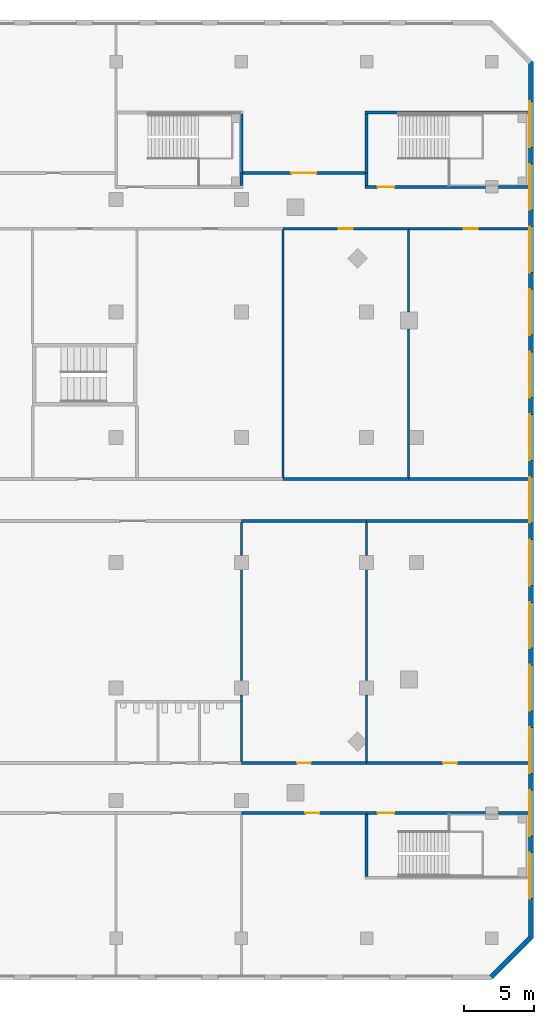
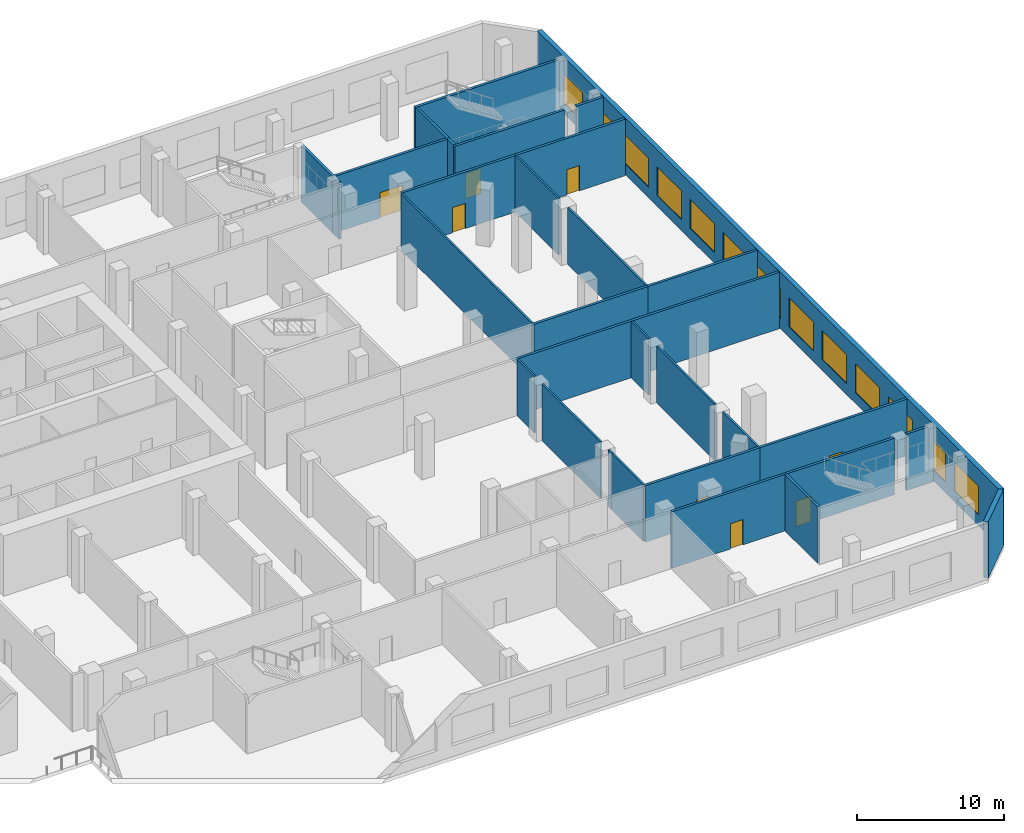
# One storey, part 16 of 23: 32 walls, 13 windows, 8 doors, 21 openings.
"""IFC4 building model written with IfcOpenShell, lengths in metres."""

from ifc_helpers import new_model, si_unit, direction, frame, frame_2d, origin, place, context, subcontext, project, spatial, rectangle, extrude, material, layer, layer_set, type_object, element, fill, save


model = new_model("IFC4")

# Units and contexts
model_context = context("Model", 3, precision=1e-05, world=origin(), true_north=direction((0.0, 1.0)))
body_context = subcontext(model_context, "Body", "Model", "MODEL_VIEW")
ifc_project = project(units=[si_unit("LENGTHUNIT", "METRE"), si_unit("AREAUNIT", "SQUARE_METRE"), si_unit("VOLUMEUNIT", "CUBIC_METRE"), si_unit("PLANEANGLEUNIT", "RADIAN"), si_unit("MASSUNIT", "GRAM", prefix="KILO")], contexts=[model_context])

# Site, building, storey
site_placement = place(None, origin())
site = spatial("IfcSite", under=ifc_project, at=site_placement, CompositionType="ELEMENT")
building_placement = place(site_placement, origin())
building = spatial("IfcBuilding", under=site, at=building_placement, Name="Cinnabar Reach Civic Tower", CompositionType="ELEMENT")
storey_placement = place(building_placement, frame((0.0, 0.0, 6.0)))
storey = spatial("IfcBuildingStorey", under=building, at=storey_placement, Name="L01", CompositionType="ELEMENT", Elevation=6.0)

# Wall
ifc_material_1 = material(Name="Facing brick with insulated backing", Category="masonry")
ifc_layer_1 = layer(ifc_material_1, 0.36)
ifc_layer_set_1 = layer_set([ifc_layer_1], Name="Brick corner wall")
wall_type_1 = type_object("IfcWallType", Name="Brick corner wall", PredefinedType="STANDARD", material=ifc_layer_set_1)
wall_1_placement = place(storey_placement, frame((62.9611, -11.7843, 0.0), z_axis=(0.0, 0.0, 1.0), x_axis=(0.707106781187, 0.707106781187, 0.0)))
element("IfcWall", 1, at=wall_1_placement, inside=storey, type_object=wall_type_1, Name="Brick corner wall", PredefinedType="STANDARD", context=body_context, shape_type="SweptSolid", body=[
    extrude(rectangle(XDim=3.9926, YDim=0.36, at=frame_2d((1.9963, 0.0))), origin(), (0.0, 0.0, 1.0), 4.7),
])

# Wall, openings, windows
ifc_layer_2 = layer(ifc_material_1, 0.36)
ifc_layer_set_2 = layer_set([ifc_layer_2], Name="Brick pier and spandrel wall")
wall_type_2 = type_object("IfcWallType", Name="Brick pier and spandrel wall", PredefinedType="STANDARD", material=ifc_layer_set_2)
wall_2_placement = place(storey_placement, frame((65.82, -9.0, 0.0), z_axis=(0.0, 0.0, 1.0), x_axis=(0.0, 1.0, 0.0)))
wall_2 = element("IfcWall", 2, at=wall_2_placement, inside=storey, type_object=wall_type_2, Name="Brick facade wall", PredefinedType="STANDARD", context=body_context, shape_type="SweptSolid", body=[
    extrude(rectangle(XDim=63.0, YDim=0.36, at=frame_2d((31.5, 0.0))), origin(), (0.0, 0.0, 1.0), 4.7),
])
opening_1_placement = place(wall_2_placement, frame((2.85, 0.0, 0.9)))
opening_1 = element("IfcOpeningElement", 3, at=opening_1_placement, cuts=wall_2, Name="Opening W2875", PredefinedType="OPENING", context=body_context, shape_type="SweptSolid", body=[
    extrude(rectangle(XDim=3.3, YDim=2.4, at=frame_2d((1.65, 1.2))), frame((0.0, 0.19, 0.0), z_axis=(0.0, -1.0, 0.0), x_axis=(1.0, 0.0, 0.0)), (0.0, 0.0, 1.0), 0.38),
])
opening_2_placement = place(wall_2_placement, frame((7.35, 0.0, 0.9)))
opening_2 = element("IfcOpeningElement", 4, at=opening_2_placement, cuts=wall_2, Name="Opening W2876", PredefinedType="OPENING", context=body_context, shape_type="SweptSolid", body=[
    extrude(rectangle(XDim=3.3, YDim=2.4, at=frame_2d((1.65, 1.2))), frame((0.0, 0.19, 0.0), z_axis=(0.0, -1.0, 0.0), x_axis=(1.0, 0.0, 0.0)), (0.0, 0.0, 1.0), 0.38),
])
opening_3_placement = place(wall_2_placement, frame((11.85, 0.0, 0.9)))
opening_3 = element("IfcOpeningElement", 5, at=opening_3_placement, cuts=wall_2, Name="Opening W2877", PredefinedType="OPENING", context=body_context, shape_type="SweptSolid", body=[
    extrude(rectangle(XDim=3.3, YDim=2.4, at=frame_2d((1.65, 1.2))), frame((0.0, 0.19, 0.0), z_axis=(0.0, -1.0, 0.0), x_axis=(1.0, 0.0, 0.0)), (0.0, 0.0, 1.0), 0.38),
])
opening_4_placement = place(wall_2_placement, frame((16.35, 0.0, 0.9)))
opening_4 = element("IfcOpeningElement", 6, at=opening_4_placement, cuts=wall_2, Name="Opening W2878", PredefinedType="OPENING", context=body_context, shape_type="SweptSolid", body=[
    extrude(rectangle(XDim=3.3, YDim=2.4, at=frame_2d((1.65, 1.2))), frame((0.0, 0.19, 0.0), z_axis=(0.0, -1.0, 0.0), x_axis=(1.0, 0.0, 0.0)), (0.0, 0.0, 1.0), 0.38),
])
opening_5_placement = place(wall_2_placement, frame((20.85, 0.0, 0.9)))
opening_5 = element("IfcOpeningElement", 7, at=opening_5_placement, cuts=wall_2, Name="Opening W2879", PredefinedType="OPENING", context=body_context, shape_type="SweptSolid", body=[
    extrude(rectangle(XDim=3.3, YDim=2.4, at=frame_2d((1.65, 1.2))), frame((0.0, 0.19, 0.0), z_axis=(0.0, -1.0, 0.0), x_axis=(1.0, 0.0, 0.0)), (0.0, 0.0, 1.0), 0.38),
])
opening_6_placement = place(wall_2_placement, frame((25.35, 0.0, 0.9)))
opening_6 = element("IfcOpeningElement", 8, at=opening_6_placement, cuts=wall_2, Name="Opening W2880", PredefinedType="OPENING", context=body_context, shape_type="SweptSolid", body=[
    extrude(rectangle(XDim=3.3, YDim=2.4, at=frame_2d((1.65, 1.2))), frame((0.0, 0.19, 0.0), z_axis=(0.0, -1.0, 0.0), x_axis=(1.0, 0.0, 0.0)), (0.0, 0.0, 1.0), 0.38),
])
opening_7_placement = place(wall_2_placement, frame((29.85, 0.0, 0.9)))
opening_7 = element("IfcOpeningElement", 9, at=opening_7_placement, cuts=wall_2, Name="Opening W2881", PredefinedType="OPENING", context=body_context, shape_type="SweptSolid", body=[
    extrude(rectangle(XDim=3.3, YDim=2.4, at=frame_2d((1.65, 1.2))), frame((0.0, 0.19, 0.0), z_axis=(0.0, -1.0, 0.0), x_axis=(1.0, 0.0, 0.0)), (0.0, 0.0, 1.0), 0.38),
])
opening_8_placement = place(wall_2_placement, frame((34.35, 0.0, 0.9)))
opening_8 = element("IfcOpeningElement", 10, at=opening_8_placement, cuts=wall_2, Name="Opening W2882", PredefinedType="OPENING", context=body_context, shape_type="SweptSolid", body=[
    extrude(rectangle(XDim=3.3, YDim=2.4, at=frame_2d((1.65, 1.2))), frame((0.0, 0.19, 0.0), z_axis=(0.0, -1.0, 0.0), x_axis=(1.0, 0.0, 0.0)), (0.0, 0.0, 1.0), 0.38),
])
opening_9_placement = place(wall_2_placement, frame((38.85, 0.0, 0.9)))
opening_9 = element("IfcOpeningElement", 11, at=opening_9_placement, cuts=wall_2, Name="Opening W2883", PredefinedType="OPENING", context=body_context, shape_type="SweptSolid", body=[
    extrude(rectangle(XDim=3.3, YDim=2.4, at=frame_2d((1.65, 1.2))), frame((0.0, 0.19, 0.0), z_axis=(0.0, -1.0, 0.0), x_axis=(1.0, 0.0, 0.0)), (0.0, 0.0, 1.0), 0.38),
])
opening_10_placement = place(wall_2_placement, frame((43.35, 0.0, 0.9)))
opening_10 = element("IfcOpeningElement", 12, at=opening_10_placement, cuts=wall_2, Name="Opening W2884", PredefinedType="OPENING", context=body_context, shape_type="SweptSolid", body=[
    extrude(rectangle(XDim=3.3, YDim=2.4, at=frame_2d((1.65, 1.2))), frame((0.0, 0.19, 0.0), z_axis=(0.0, -1.0, 0.0), x_axis=(1.0, 0.0, 0.0)), (0.0, 0.0, 1.0), 0.38),
])
opening_11_placement = place(wall_2_placement, frame((47.85, 0.0, 0.9)))
opening_11 = element("IfcOpeningElement", 13, at=opening_11_placement, cuts=wall_2, Name="Opening W2885", PredefinedType="OPENING", context=body_context, shape_type="SweptSolid", body=[
    extrude(rectangle(XDim=3.3, YDim=2.4, at=frame_2d((1.65, 1.2))), frame((0.0, 0.19, 0.0), z_axis=(0.0, -1.0, 0.0), x_axis=(1.0, 0.0, 0.0)), (0.0, 0.0, 1.0), 0.38),
])
opening_12_placement = place(wall_2_placement, frame((52.35, 0.0, 0.9)))
opening_12 = element("IfcOpeningElement", 14, at=opening_12_placement, cuts=wall_2, Name="Opening W2886", PredefinedType="OPENING", context=body_context, shape_type="SweptSolid", body=[
    extrude(rectangle(XDim=3.3, YDim=2.4, at=frame_2d((1.65, 1.2))), frame((0.0, 0.19, 0.0), z_axis=(0.0, -1.0, 0.0), x_axis=(1.0, 0.0, 0.0)), (0.0, 0.0, 1.0), 0.38),
])
opening_13_placement = place(wall_2_placement, frame((56.85, 0.0, 0.9)))
opening_13 = element("IfcOpeningElement", 15, at=opening_13_placement, cuts=wall_2, Name="Opening W2887", PredefinedType="OPENING", context=body_context, shape_type="SweptSolid", body=[
    extrude(rectangle(XDim=3.3, YDim=2.4, at=frame_2d((1.65, 1.2))), frame((0.0, 0.19, 0.0), z_axis=(0.0, -1.0, 0.0), x_axis=(1.0, 0.0, 0.0)), (0.0, 0.0, 1.0), 0.38),
])
ifc_material_2 = material(Name="Clear double glazing in aluminium frame", Category="aluminium")
window_type = type_object("IfcWindowType", Name="Podium window P", PartitioningType="SINGLE_PANEL", PredefinedType="WINDOW", material=ifc_material_2)
window_1_placement = place(opening_1_placement, origin())
window_1 = element("IfcWindow", 16, at=window_1_placement, inside=storey, type_object=window_type, Name="Window east face", OverallHeight=2.4, OverallWidth=3.3, PartitioningType="SINGLE_PANEL", PredefinedType="WINDOW", context=body_context, shape_type="SweptSolid", body=[
    extrude(rectangle(XDim=3.3, YDim=2.4, at=frame_2d((1.65, 1.2))), frame((0.0, 0.13, 0.0), z_axis=(0.0, -1.0, 0.0), x_axis=(1.0, 0.0, 0.0)), (0.0, 0.0, 1.0), 0.06),
])
fill(opening_1, window_1)
window_2_placement = place(opening_2_placement, origin())
window_2 = element("IfcWindow", 17, at=window_2_placement, inside=storey, type_object=window_type, Name="Window east face", OverallHeight=2.4, OverallWidth=3.3, PartitioningType="SINGLE_PANEL", PredefinedType="WINDOW", context=body_context, shape_type="SweptSolid", body=[
    extrude(rectangle(XDim=3.3, YDim=2.4, at=frame_2d((1.65, 1.2))), frame((0.0, 0.13, 0.0), z_axis=(0.0, -1.0, 0.0), x_axis=(1.0, 0.0, 0.0)), (0.0, 0.0, 1.0), 0.06),
])
fill(opening_2, window_2)
window_3_placement = place(opening_3_placement, origin())
window_3 = element("IfcWindow", 18, at=window_3_placement, inside=storey, type_object=window_type, Name="Window east face", OverallHeight=2.4, OverallWidth=3.3, PartitioningType="SINGLE_PANEL", PredefinedType="WINDOW", context=body_context, shape_type="SweptSolid", body=[
    extrude(rectangle(XDim=3.3, YDim=2.4, at=frame_2d((1.65, 1.2))), frame((0.0, 0.13, 0.0), z_axis=(0.0, -1.0, 0.0), x_axis=(1.0, 0.0, 0.0)), (0.0, 0.0, 1.0), 0.06),
])
fill(opening_3, window_3)
window_4_placement = place(opening_4_placement, origin())
window_4 = element("IfcWindow", 19, at=window_4_placement, inside=storey, type_object=window_type, Name="Window east face", OverallHeight=2.4, OverallWidth=3.3, PartitioningType="SINGLE_PANEL", PredefinedType="WINDOW", context=body_context, shape_type="SweptSolid", body=[
    extrude(rectangle(XDim=3.3, YDim=2.4, at=frame_2d((1.65, 1.2))), frame((0.0, 0.13, 0.0), z_axis=(0.0, -1.0, 0.0), x_axis=(1.0, 0.0, 0.0)), (0.0, 0.0, 1.0), 0.06),
])
fill(opening_4, window_4)
window_5_placement = place(opening_5_placement, origin())
window_5 = element("IfcWindow", 20, at=window_5_placement, inside=storey, type_object=window_type, Name="Window east face", OverallHeight=2.4, OverallWidth=3.3, PartitioningType="SINGLE_PANEL", PredefinedType="WINDOW", context=body_context, shape_type="SweptSolid", body=[
    extrude(rectangle(XDim=3.3, YDim=2.4, at=frame_2d((1.65, 1.2))), frame((0.0, 0.13, 0.0), z_axis=(0.0, -1.0, 0.0), x_axis=(1.0, 0.0, 0.0)), (0.0, 0.0, 1.0), 0.06),
])
fill(opening_5, window_5)
window_6_placement = place(opening_6_placement, origin())
window_6 = element("IfcWindow", 21, at=window_6_placement, inside=storey, type_object=window_type, Name="Window east face", OverallHeight=2.4, OverallWidth=3.3, PartitioningType="SINGLE_PANEL", PredefinedType="WINDOW", context=body_context, shape_type="SweptSolid", body=[
    extrude(rectangle(XDim=3.3, YDim=2.4, at=frame_2d((1.65, 1.2))), frame((0.0, 0.13, 0.0), z_axis=(0.0, -1.0, 0.0), x_axis=(1.0, 0.0, 0.0)), (0.0, 0.0, 1.0), 0.06),
])
fill(opening_6, window_6)
window_7_placement = place(opening_7_placement, origin())
window_7 = element("IfcWindow", 22, at=window_7_placement, inside=storey, type_object=window_type, Name="Window east face", OverallHeight=2.4, OverallWidth=3.3, PartitioningType="SINGLE_PANEL", PredefinedType="WINDOW", context=body_context, shape_type="SweptSolid", body=[
    extrude(rectangle(XDim=3.3, YDim=2.4, at=frame_2d((1.65, 1.2))), frame((0.0, 0.13, 0.0), z_axis=(0.0, -1.0, 0.0), x_axis=(1.0, 0.0, 0.0)), (0.0, 0.0, 1.0), 0.06),
])
fill(opening_7, window_7)
window_8_placement = place(opening_8_placement, origin())
window_8 = element("IfcWindow", 23, at=window_8_placement, inside=storey, type_object=window_type, Name="Window east face", OverallHeight=2.4, OverallWidth=3.3, PartitioningType="SINGLE_PANEL", PredefinedType="WINDOW", context=body_context, shape_type="SweptSolid", body=[
    extrude(rectangle(XDim=3.3, YDim=2.4, at=frame_2d((1.65, 1.2))), frame((0.0, 0.13, 0.0), z_axis=(0.0, -1.0, 0.0), x_axis=(1.0, 0.0, 0.0)), (0.0, 0.0, 1.0), 0.06),
])
fill(opening_8, window_8)
window_9_placement = place(opening_9_placement, origin())
window_9 = element("IfcWindow", 24, at=window_9_placement, inside=storey, type_object=window_type, Name="Window east face", OverallHeight=2.4, OverallWidth=3.3, PartitioningType="SINGLE_PANEL", PredefinedType="WINDOW", context=body_context, shape_type="SweptSolid", body=[
    extrude(rectangle(XDim=3.3, YDim=2.4, at=frame_2d((1.65, 1.2))), frame((0.0, 0.13, 0.0), z_axis=(0.0, -1.0, 0.0), x_axis=(1.0, 0.0, 0.0)), (0.0, 0.0, 1.0), 0.06),
])
fill(opening_9, window_9)
window_10_placement = place(opening_10_placement, origin())
window_10 = element("IfcWindow", 25, at=window_10_placement, inside=storey, type_object=window_type, Name="Window east face", OverallHeight=2.4, OverallWidth=3.3, PartitioningType="SINGLE_PANEL", PredefinedType="WINDOW", context=body_context, shape_type="SweptSolid", body=[
    extrude(rectangle(XDim=3.3, YDim=2.4, at=frame_2d((1.65, 1.2))), frame((0.0, 0.13, 0.0), z_axis=(0.0, -1.0, 0.0), x_axis=(1.0, 0.0, 0.0)), (0.0, 0.0, 1.0), 0.06),
])
fill(opening_10, window_10)
window_11_placement = place(opening_11_placement, origin())
window_11 = element("IfcWindow", 26, at=window_11_placement, inside=storey, type_object=window_type, Name="Window east face", OverallHeight=2.4, OverallWidth=3.3, PartitioningType="SINGLE_PANEL", PredefinedType="WINDOW", context=body_context, shape_type="SweptSolid", body=[
    extrude(rectangle(XDim=3.3, YDim=2.4, at=frame_2d((1.65, 1.2))), frame((0.0, 0.13, 0.0), z_axis=(0.0, -1.0, 0.0), x_axis=(1.0, 0.0, 0.0)), (0.0, 0.0, 1.0), 0.06),
])
fill(opening_11, window_11)
window_12_placement = place(opening_12_placement, origin())
window_12 = element("IfcWindow", 27, at=window_12_placement, inside=storey, type_object=window_type, Name="Window east face", OverallHeight=2.4, OverallWidth=3.3, PartitioningType="SINGLE_PANEL", PredefinedType="WINDOW", context=body_context, shape_type="SweptSolid", body=[
    extrude(rectangle(XDim=3.3, YDim=2.4, at=frame_2d((1.65, 1.2))), frame((0.0, 0.13, 0.0), z_axis=(0.0, -1.0, 0.0), x_axis=(1.0, 0.0, 0.0)), (0.0, 0.0, 1.0), 0.06),
])
fill(opening_12, window_12)
window_13_placement = place(opening_13_placement, origin())
window_13 = element("IfcWindow", 28, at=window_13_placement, inside=storey, type_object=window_type, Name="Window east face", OverallHeight=2.4, OverallWidth=3.3, PartitioningType="SINGLE_PANEL", PredefinedType="WINDOW", context=body_context, shape_type="SweptSolid", body=[
    extrude(rectangle(XDim=3.3, YDim=2.4, at=frame_2d((1.65, 1.2))), frame((0.0, 0.13, 0.0), z_axis=(0.0, -1.0, 0.0), x_axis=(1.0, 0.0, 0.0)), (0.0, 0.0, 1.0), 0.06),
])
fill(opening_13, window_13)

# Wall, opening, door
ifc_material_3 = material(Name="Concrete blockwork", Category="masonry")
ifc_layer_3 = layer(ifc_material_3, 0.2)
ifc_layer_set_3 = layer_set([ifc_layer_3], Name="Podium masonry corridor wall 200 EI 120")
wall_type_3 = type_object("IfcWallType", Name="Podium masonry corridor wall 200 EI 120", PredefinedType="PARTITIONING", material=ifc_layer_set_3)
wall_3_placement = place(storey_placement, frame((45.0, 0.0, 0.0), z_axis=(0.0, 0.0, 1.0), x_axis=(1.0, 0.0, 0.0)))
wall_3 = element("IfcWall", 29, at=wall_3_placement, inside=storey, type_object=wall_type_3, Name="Wall L01 58", PredefinedType="PARTITIONING", context=body_context, shape_type="SweptSolid", body=[
    extrude(rectangle(XDim=9.0, YDim=0.2, at=frame_2d((4.5, 0.0))), origin(), (0.0, 0.0, 1.0), 4.7),
])
opening_14_placement = place(wall_3_placement, frame((4.6, 0.0, 0.0)))
opening_14 = element("IfcOpeningElement", 30, at=opening_14_placement, cuts=wall_3, Name="Opening D1057", PredefinedType="OPENING", context=body_context, shape_type="SweptSolid", body=[
    extrude(rectangle(XDim=1.0, YDim=2.1, at=frame_2d((0.5, 1.05))), frame((0.0, 0.11, 0.0), z_axis=(0.0, -1.0, 0.0), x_axis=(1.0, 0.0, 0.0)), (0.0, 0.0, 1.0), 0.22),
])
ifc_material_4 = material(Name="Painted steel door leaf", Category="steel")
door_type_1 = type_object("IfcDoorType", Name="Podium single door 1000x2100", OperationType="SINGLE_SWING_LEFT", PredefinedType="DOOR", material=ifc_material_4)
door_1_placement = place(opening_14_placement, frame((1.0, 0.0, 0.0), z_axis=(0.0, 0.0, 1.0), x_axis=(-1.0, 0.0, 0.0)))
door_1 = element("IfcDoor", 31, at=door_1_placement, inside=storey, type_object=door_type_1, Name="Door D1057", OperationType="SINGLE_SWING_LEFT", OverallHeight=2.1, OverallWidth=1.0, PredefinedType="DOOR", context=body_context, shape_type="SweptSolid", body=[
    extrude(rectangle(XDim=1.0, YDim=2.1, at=frame_2d((0.5, 1.05))), frame((0.0, 0.025, 0.0), z_axis=(0.0, -1.0, 0.0), x_axis=(1.0, 0.0, 0.0)), (0.0, 0.0, 1.0), 0.05),
])
fill(opening_14, door_1)

wall_4_placement = place(storey_placement, frame((45.0, 3.6, 0.0), z_axis=(0.0, 0.0, 1.0), x_axis=(1.0, 0.0, 0.0)))
wall_4 = element("IfcWall", 32, at=wall_4_placement, inside=storey, type_object=wall_type_3, Name="Wall L01 67", PredefinedType="PARTITIONING", context=body_context, shape_type="SweptSolid", body=[
    extrude(rectangle(XDim=9.0, YDim=0.2, at=frame_2d((4.5, 0.0))), origin(), (0.0, 0.0, 1.0), 4.7),
])
opening_15_placement = place(wall_4_placement, frame((4.0, 0.0, 0.0)))
opening_15 = element("IfcOpeningElement", 33, at=opening_15_placement, cuts=wall_4, Name="Opening D1071", PredefinedType="OPENING", context=body_context, shape_type="SweptSolid", body=[
    extrude(rectangle(XDim=1.0, YDim=2.1, at=frame_2d((0.5, 1.05))), frame((0.0, 0.11, 0.0), z_axis=(0.0, -1.0, 0.0), x_axis=(1.0, 0.0, 0.0)), (0.0, 0.0, 1.0), 0.22),
])
door_2_placement = place(opening_15_placement, origin())
door_2 = element("IfcDoor", 34, at=door_2_placement, inside=storey, type_object=door_type_1, Name="Door D1071", OperationType="SINGLE_SWING_LEFT", OverallHeight=2.1, OverallWidth=1.0, PredefinedType="DOOR", context=body_context, shape_type="SweptSolid", body=[
    extrude(rectangle(XDim=1.0, YDim=2.1, at=frame_2d((0.5, 1.05))), frame((0.0, 0.025, 0.0), z_axis=(0.0, -1.0, 0.0), x_axis=(1.0, 0.0, 0.0)), (0.0, 0.0, 1.0), 0.05),
])
fill(opening_15, door_2)

wall_5_placement = place(storey_placement, frame((54.0, 3.6, 0.0), z_axis=(0.0, 0.0, 1.0), x_axis=(1.0, 0.0, 0.0)))
wall_5 = element("IfcWall", 35, at=wall_5_placement, inside=storey, type_object=wall_type_3, Name="Wall L01 68", PredefinedType="PARTITIONING", context=body_context, shape_type="SweptSolid", body=[
    extrude(rectangle(XDim=11.6, YDim=0.2, at=frame_2d((5.8, 0.0))), origin(), (0.0, 0.0, 1.0), 4.7),
])
opening_16_placement = place(wall_5_placement, frame((5.5, 0.0, 0.0)))
opening_16 = element("IfcOpeningElement", 36, at=opening_16_placement, cuts=wall_5, Name="Opening D1072", PredefinedType="OPENING", context=body_context, shape_type="SweptSolid", body=[
    extrude(rectangle(XDim=1.0, YDim=2.1, at=frame_2d((0.5, 1.05))), frame((0.0, 0.11, 0.0), z_axis=(0.0, -1.0, 0.0), x_axis=(1.0, 0.0, 0.0)), (0.0, 0.0, 1.0), 0.22),
])
door_3_placement = place(opening_16_placement, origin())
door_3 = element("IfcDoor", 37, at=door_3_placement, inside=storey, type_object=door_type_1, Name="Door D1072", OperationType="SINGLE_SWING_RIGHT", OverallHeight=2.1, OverallWidth=1.0, PredefinedType="DOOR", context=body_context, shape_type="SweptSolid", body=[
    extrude(rectangle(XDim=1.0, YDim=2.1, at=frame_2d((0.5, 1.05))), frame((0.0, 0.025, 0.0), z_axis=(0.0, -1.0, 0.0), x_axis=(1.0, 0.0, 0.0)), (0.0, 0.0, 1.0), 0.05),
])
fill(opening_16, door_3)

wall_6_placement = place(storey_placement, frame((48.0, 42.0, 0.0), z_axis=(0.0, 0.0, 1.0), x_axis=(1.0, 0.0, 0.0)))
wall_6 = element("IfcWall", 38, at=wall_6_placement, inside=storey, type_object=wall_type_3, Name="Wall L01 102", PredefinedType="PARTITIONING", context=body_context, shape_type="SweptSolid", body=[
    extrude(rectangle(XDim=9.0, YDim=0.2, at=frame_2d((4.5, 0.0))), origin(), (0.0, 0.0, 1.0), 4.7),
])
opening_17_placement = place(wall_6_placement, frame((4.0, 0.0, 0.0)))
opening_17 = element("IfcOpeningElement", 39, at=opening_17_placement, cuts=wall_6, Name="Opening D1082", PredefinedType="OPENING", context=body_context, shape_type="SweptSolid", body=[
    extrude(rectangle(XDim=1.0, YDim=2.1, at=frame_2d((0.5, 1.05))), frame((0.0, 0.11, 0.0), z_axis=(0.0, -1.0, 0.0), x_axis=(1.0, 0.0, 0.0)), (0.0, 0.0, 1.0), 0.22),
])
door_4_placement = place(opening_17_placement, frame((1.0, 0.0, 0.0), z_axis=(0.0, 0.0, 1.0), x_axis=(-1.0, 0.0, 0.0)))
door_4 = element("IfcDoor", 40, at=door_4_placement, inside=storey, type_object=door_type_1, Name="Door D1082", OperationType="SINGLE_SWING_RIGHT", OverallHeight=2.1, OverallWidth=1.0, PredefinedType="DOOR", context=body_context, shape_type="SweptSolid", body=[
    extrude(rectangle(XDim=1.0, YDim=2.1, at=frame_2d((0.5, 1.05))), frame((0.0, 0.025, 0.0), z_axis=(0.0, -1.0, 0.0), x_axis=(1.0, 0.0, 0.0)), (0.0, 0.0, 1.0), 0.05),
])
fill(opening_17, door_4)

wall_7_placement = place(storey_placement, frame((57.0, 42.0, 0.0), z_axis=(0.0, 0.0, 1.0), x_axis=(1.0, 0.0, 0.0)))
wall_7 = element("IfcWall", 41, at=wall_7_placement, inside=storey, type_object=wall_type_3, Name="Wall L01 103", PredefinedType="PARTITIONING", context=body_context, shape_type="SweptSolid", body=[
    extrude(rectangle(XDim=8.6, YDim=0.2, at=frame_2d((4.3, 0.0))), origin(), (0.0, 0.0, 1.0), 4.7),
])
opening_18_placement = place(wall_7_placement, frame((4.0, 0.0, 0.0)))
opening_18 = element("IfcOpeningElement", 42, at=opening_18_placement, cuts=wall_7, Name="Opening D1083", PredefinedType="OPENING", context=body_context, shape_type="SweptSolid", body=[
    extrude(rectangle(XDim=1.0, YDim=2.1, at=frame_2d((0.5, 1.05))), frame((0.0, 0.11, 0.0), z_axis=(0.0, -1.0, 0.0), x_axis=(1.0, 0.0, 0.0)), (0.0, 0.0, 1.0), 0.22),
])
door_5_placement = place(opening_18_placement, frame((1.0, 0.0, 0.0), z_axis=(0.0, 0.0, 1.0), x_axis=(-1.0, 0.0, 0.0)))
door_5 = element("IfcDoor", 43, at=door_5_placement, inside=storey, type_object=door_type_1, Name="Door D1083", OperationType="SINGLE_SWING_LEFT", OverallHeight=2.1, OverallWidth=1.0, PredefinedType="DOOR", context=body_context, shape_type="SweptSolid", body=[
    extrude(rectangle(XDim=1.0, YDim=2.1, at=frame_2d((0.5, 1.05))), frame((0.0, 0.025, 0.0), z_axis=(0.0, -1.0, 0.0), x_axis=(1.0, 0.0, 0.0)), (0.0, 0.0, 1.0), 0.05),
])
fill(opening_18, door_5)

wall_8_placement = place(storey_placement, frame((45.1, 46.0, 0.0), z_axis=(0.0, 0.0, 1.0), x_axis=(1.0, 0.0, 0.0)))
wall_8 = element("IfcWall", 44, at=wall_8_placement, inside=storey, type_object=wall_type_3, Name="Wall L01 108", PredefinedType="PARTITIONING", context=body_context, shape_type="SweptSolid", body=[
    extrude(rectangle(XDim=8.8, YDim=0.2, at=frame_2d((4.4, 0.0))), origin(), (0.0, 0.0, 1.0), 4.7),
])
opening_19_placement = place(wall_8_placement, frame((3.5, 0.0, 0.0)))
opening_19 = element("IfcOpeningElement", 45, at=opening_19_placement, cuts=wall_8, Name="Opening D1092", PredefinedType="OPENING", context=body_context, shape_type="SweptSolid", body=[
    extrude(rectangle(XDim=1.8, YDim=2.1, at=frame_2d((0.9, 1.05))), frame((0.0, 0.11, 0.0), z_axis=(0.0, -1.0, 0.0), x_axis=(1.0, 0.0, 0.0)), (0.0, 0.0, 1.0), 0.22),
])
door_type_2 = type_object("IfcDoorType", Name="Podium double door 1800x2100", OperationType="DOUBLE_DOOR_SINGLE_SWING", PredefinedType="DOOR", material=ifc_material_4)
door_6_placement = place(opening_19_placement, origin())
door_6 = element("IfcDoor", 46, at=door_6_placement, inside=storey, type_object=door_type_2, Name="Door D1092", OperationType="DOUBLE_DOOR_SINGLE_SWING", OverallHeight=2.1, OverallWidth=1.8, PredefinedType="DOOR", context=body_context, shape_type="SweptSolid", body=[
    extrude(rectangle(XDim=1.8, YDim=2.1, at=frame_2d((0.9, 1.05))), frame((0.0, 0.025, 0.0), z_axis=(0.0, -1.0, 0.0), x_axis=(1.0, 0.0, 0.0)), (0.0, 0.0, 1.0), 0.05),
])
fill(opening_19, door_6)

# Walls
wall_9_placement = place(storey_placement, frame((45.0, 21.0, 0.0), z_axis=(0.0, 0.0, 1.0), x_axis=(1.0, 0.0, 0.0)))
element("IfcWall", 47, at=wall_9_placement, inside=storey, type_object=wall_type_3, Name="Wall L01 118", PredefinedType="PARTITIONING", context=body_context, shape_type="SweptSolid", body=[
    extrude(rectangle(XDim=9.0, YDim=0.2, at=frame_2d((4.5, 0.0))), origin(), (0.0, 0.0, 1.0), 4.7),
])
wall_10_placement = place(storey_placement, frame((54.0, 21.0, 0.0), z_axis=(0.0, 0.0, 1.0), x_axis=(1.0, 0.0, 0.0)))
element("IfcWall", 48, at=wall_10_placement, inside=storey, type_object=wall_type_3, Name="Wall L01 119", PredefinedType="PARTITIONING", context=body_context, shape_type="SweptSolid", body=[
    extrude(rectangle(XDim=11.6, YDim=0.2, at=frame_2d((5.8, 0.0))), origin(), (0.0, 0.0, 1.0), 4.7),
])
wall_11_placement = place(storey_placement, frame((48.0, 24.0, 0.0), z_axis=(0.0, 0.0, 1.0), x_axis=(1.0, 0.0, 0.0)))
element("IfcWall", 49, at=wall_11_placement, inside=storey, type_object=wall_type_3, Name="Wall L01 123", PredefinedType="PARTITIONING", context=body_context, shape_type="SweptSolid", body=[
    extrude(rectangle(XDim=9.0, YDim=0.2, at=frame_2d((4.5, 0.0))), origin(), (0.0, 0.0, 1.0), 4.7),
])
wall_12_placement = place(storey_placement, frame((57.0, 24.0, 0.0), z_axis=(0.0, 0.0, 1.0), x_axis=(1.0, 0.0, 0.0)))
element("IfcWall", 50, at=wall_12_placement, inside=storey, type_object=wall_type_3, Name="Wall L01 124", PredefinedType="PARTITIONING", context=body_context, shape_type="SweptSolid", body=[
    extrude(rectangle(XDim=8.6, YDim=0.2, at=frame_2d((4.3, 0.0))), origin(), (0.0, 0.0, 1.0), 4.7),
])
ifc_material_5 = material(Name="Gypsum board on steel studs", Category="steel")
ifc_layer_4 = layer(ifc_material_5, 0.15)
ifc_layer_set_4 = layer_set([ifc_layer_4], Name="Podium partition wall 150 EI 90")
wall_type_4 = type_object("IfcWallType", Name="Podium partition wall 150 EI 90", PredefinedType="PARTITIONING", material=ifc_layer_set_4)
wall_13_placement = place(storey_placement, frame((45.0, 8.0, 0.0), z_axis=(0.0, 0.0, 1.0), x_axis=(0.0, 1.0, 0.0)))
element("IfcWall", 51, at=wall_13_placement, inside=storey, type_object=wall_type_4, Name="Wall L01 194", PredefinedType="PARTITIONING", context=body_context, shape_type="SweptSolid", body=[
    extrude(rectangle(XDim=0.48, YDim=0.15, at=frame_2d((0.24, 0.0))), origin(), (0.0, 0.0, 1.0), 4.7),
])
wall_14_placement = place(storey_placement, frame((45.0, 9.52, 0.0), z_axis=(0.0, 0.0, 1.0), x_axis=(0.0, 1.0, 0.0)))
element("IfcWall", 52, at=wall_14_placement, inside=storey, type_object=wall_type_4, Name="Wall L01 195", PredefinedType="PARTITIONING", context=body_context, shape_type="SweptSolid", body=[
    extrude(rectangle(XDim=7.96, YDim=0.15, at=frame_2d((3.98, 0.0))), origin(), (0.0, 0.0, 1.0), 4.7),
])
wall_15_placement = place(storey_placement, frame((45.0, 18.52, 0.0), z_axis=(0.0, 0.0, 1.0), x_axis=(0.0, 1.0, 0.0)))
element("IfcWall", 53, at=wall_15_placement, inside=storey, type_object=wall_type_4, Name="Wall L01 196", PredefinedType="PARTITIONING", context=body_context, shape_type="SweptSolid", body=[
    extrude(rectangle(XDim=2.38, YDim=0.15, at=frame_2d((1.19, 0.0))), origin(), (0.0, 0.0, 1.0), 4.7),
])
wall_16_placement = place(storey_placement, frame((45.0, 3.7, 0.0), z_axis=(0.0, 0.0, 1.0), x_axis=(0.0, 1.0, 0.0)))
element("IfcWall", 54, at=wall_16_placement, inside=storey, type_object=wall_type_4, Name="Wall L01 199", PredefinedType="PARTITIONING", context=body_context, shape_type="SweptSolid", body=[
    extrude(rectangle(XDim=4.3, YDim=0.15, at=frame_2d((2.15, 0.0))), origin(), (0.0, 0.0, 1.0), 4.7),
])
wall_17_placement = place(storey_placement, frame((54.0, 3.7, 0.0), z_axis=(0.0, 0.0, 1.0), x_axis=(0.0, 1.0, 0.0)))
element("IfcWall", 55, at=wall_17_placement, inside=storey, type_object=wall_type_4, Name="Wall L01 200", PredefinedType="PARTITIONING", context=body_context, shape_type="SweptSolid", body=[
    extrude(rectangle(XDim=4.78, YDim=0.15, at=frame_2d((2.39, 0.0))), origin(), (0.0, 0.0, 1.0), 4.7),
])
wall_18_placement = place(storey_placement, frame((54.0, 9.52, 0.0), z_axis=(0.0, 0.0, 1.0), x_axis=(0.0, 1.0, 0.0)))
element("IfcWall", 56, at=wall_18_placement, inside=storey, type_object=wall_type_4, Name="Wall L01 201", PredefinedType="PARTITIONING", context=body_context, shape_type="SweptSolid", body=[
    extrude(rectangle(XDim=7.96, YDim=0.15, at=frame_2d((3.98, 0.0))), origin(), (0.0, 0.0, 1.0), 4.7),
])
wall_19_placement = place(storey_placement, frame((54.0, 18.52, 0.0), z_axis=(0.0, 0.0, 1.0), x_axis=(0.0, 1.0, 0.0)))
element("IfcWall", 57, at=wall_19_placement, inside=storey, type_object=wall_type_4, Name="Wall L01 202", PredefinedType="PARTITIONING", context=body_context, shape_type="SweptSolid", body=[
    extrude(rectangle(XDim=2.38, YDim=0.15, at=frame_2d((1.19, 0.0))), origin(), (0.0, 0.0, 1.0), 4.7),
])
wall_20_placement = place(storey_placement, frame((48.0, 24.1, 0.0), z_axis=(0.0, 0.0, 1.0), x_axis=(0.0, 1.0, 0.0)))
element("IfcWall", 58, at=wall_20_placement, inside=storey, type_object=wall_type_4, Name="Wall L01 212", PredefinedType="PARTITIONING", context=body_context, shape_type="SweptSolid", body=[
    extrude(rectangle(XDim=17.8, YDim=0.15, at=frame_2d((8.9, 0.0))), origin(), (0.0, 0.0, 1.0), 4.7),
])
wall_21_placement = place(storey_placement, frame((57.0, 24.1, 0.0), z_axis=(0.0, 0.0, 1.0), x_axis=(0.0, 1.0, 0.0)))
element("IfcWall", 59, at=wall_21_placement, inside=storey, type_object=wall_type_4, Name="Wall L01 213", PredefinedType="PARTITIONING", context=body_context, shape_type="SweptSolid", body=[
    extrude(rectangle(XDim=10.6781, YDim=0.15, at=frame_2d((5.3391, 0.0))), origin(), (0.0, 0.0, 1.0), 4.7),
])
wall_22_placement = place(storey_placement, frame((57.0, 36.0181, 0.0), z_axis=(0.0, 0.0, 1.0), x_axis=(0.0, 1.0, 0.0)))
element("IfcWall", 60, at=wall_22_placement, inside=storey, type_object=wall_type_4, Name="Wall L01 214", PredefinedType="PARTITIONING", context=body_context, shape_type="SweptSolid", body=[
    extrude(rectangle(XDim=5.8819, YDim=0.15, at=frame_2d((2.9409, 0.0))), origin(), (0.0, 0.0, 1.0), 4.7),
])

# Wall, opening, door
ifc_material_6 = material(Name="Concrete C40", Category="concrete")
ifc_layer_5 = layer(ifc_material_6, 0.2)
ifc_layer_set_5 = layer_set([ifc_layer_5], Name="Podium stair shaft wall 200 EI 120")
wall_type_5 = type_object("IfcWallType", Name="Podium stair shaft wall 200 EI 120", PredefinedType="SOLIDWALL", material=ifc_layer_set_5)
wall_23_placement = place(storey_placement, frame((54.0, 0.0, 0.0), z_axis=(0.0, 0.0, 1.0), x_axis=(1.0, 0.0, 0.0)))
wall_23 = element("IfcWall", 61, at=wall_23_placement, inside=storey, type_object=wall_type_5, Name="Wall L01 13", PredefinedType="SOLIDWALL", context=body_context, shape_type="SweptSolid", body=[
    extrude(rectangle(XDim=8.53, YDim=0.2, at=frame_2d((4.265, 0.0))), origin(), (0.0, 0.0, 1.0), 4.7),
])
opening_20_placement = place(wall_23_placement, frame((0.8, 0.0, 0.0)))
opening_20 = element("IfcOpeningElement", 62, at=opening_20_placement, cuts=wall_23, Name="Opening D1096", PredefinedType="OPENING", context=body_context, shape_type="SweptSolid", body=[
    extrude(rectangle(XDim=1.2, YDim=2.1, at=frame_2d((0.6, 1.05))), frame((0.0, 0.11, 0.0), z_axis=(0.0, -1.0, 0.0), x_axis=(1.0, 0.0, 0.0)), (0.0, 0.0, 1.0), 0.22),
])
door_type_3 = type_object("IfcDoorType", Name="Podium single door 1200x2100", OperationType="SINGLE_SWING_LEFT", PredefinedType="DOOR", material=ifc_material_4)
door_7_placement = place(opening_20_placement, frame((1.2, 0.0, 0.0), z_axis=(0.0, 0.0, 1.0), x_axis=(-1.0, 0.0, 0.0)))
door_7 = element("IfcDoor", 63, at=door_7_placement, inside=storey, type_object=door_type_3, Name="Door D1096", OperationType="SINGLE_SWING_LEFT", OverallHeight=2.1, OverallWidth=1.2, PredefinedType="DOOR", context=body_context, shape_type="SweptSolid", body=[
    extrude(rectangle(XDim=1.2, YDim=2.1, at=frame_2d((0.6, 1.05))), frame((0.0, 0.025, 0.0), z_axis=(0.0, -1.0, 0.0), x_axis=(1.0, 0.0, 0.0)), (0.0, 0.0, 1.0), 0.05),
])
fill(opening_20, door_7)

# Walls
wall_24_placement = place(storey_placement, frame((63.47, 0.0, 0.0), z_axis=(0.0, 0.0, 1.0), x_axis=(1.0, 0.0, 0.0)))
element("IfcWall", 64, at=wall_24_placement, inside=storey, type_object=wall_type_5, Name="Wall L01 14", PredefinedType="SOLIDWALL", context=body_context, shape_type="SweptSolid", body=[
    extrude(rectangle(XDim=2.13, YDim=0.2, at=frame_2d((1.065, 0.0))), origin(), (0.0, 0.0, 1.0), 4.7),
])
wall_25_placement = place(storey_placement, frame((54.0, -4.55, 0.0), z_axis=(0.0, 0.0, 1.0), x_axis=(0.0, 1.0, 0.0)))
element("IfcWall", 65, at=wall_25_placement, inside=storey, type_object=wall_type_5, Name="Wall L01 15", PredefinedType="SOLIDWALL", context=body_context, shape_type="SweptSolid", body=[
    extrude(rectangle(XDim=4.45, YDim=0.2, at=frame_2d((2.225, 0.0))), origin(), (0.0, 0.0, 1.0), 4.7),
])
wall_26_placement = place(storey_placement, frame((54.0, 45.1, 0.0), z_axis=(0.0, 0.0, 1.0), x_axis=(0.0, 1.0, 0.0)))
element("IfcWall", 66, at=wall_26_placement, inside=storey, type_object=wall_type_5, Name="Wall L01 17", PredefinedType="SOLIDWALL", context=body_context, shape_type="SweptSolid", body=[
    extrude(rectangle(XDim=0.9, YDim=0.2, at=frame_2d((0.45, 0.0))), origin(), (0.0, 0.0, 1.0), 4.7),
])

# Wall, opening, door
wall_27_placement = place(storey_placement, frame((53.9, 45.0, 0.0), z_axis=(0.0, 0.0, 1.0), x_axis=(1.0, 0.0, 0.0)))
wall_27 = element("IfcWall", 67, at=wall_27_placement, inside=storey, type_object=wall_type_5, Name="Wall L01 18", PredefinedType="SOLIDWALL", context=body_context, shape_type="SweptSolid", body=[
    extrude(rectangle(XDim=8.63, YDim=0.2, at=frame_2d((4.315, 0.0))), origin(), (0.0, 0.0, 1.0), 4.7),
])
opening_21_placement = place(wall_27_placement, frame((0.9, 0.0, 0.0)))
opening_21 = element("IfcOpeningElement", 68, at=opening_21_placement, cuts=wall_27, Name="Opening D1097", PredefinedType="OPENING", context=body_context, shape_type="SweptSolid", body=[
    extrude(rectangle(XDim=1.2, YDim=2.1, at=frame_2d((0.6, 1.05))), frame((0.0, 0.11, 0.0), z_axis=(0.0, -1.0, 0.0), x_axis=(1.0, 0.0, 0.0)), (0.0, 0.0, 1.0), 0.22),
])
door_8_placement = place(opening_21_placement, origin())
door_8 = element("IfcDoor", 69, at=door_8_placement, inside=storey, type_object=door_type_3, Name="Door D1097", OperationType="SINGLE_SWING_LEFT", OverallHeight=2.1, OverallWidth=1.2, PredefinedType="DOOR", context=body_context, shape_type="SweptSolid", body=[
    extrude(rectangle(XDim=1.2, YDim=2.1, at=frame_2d((0.6, 1.05))), frame((0.0, 0.025, 0.0), z_axis=(0.0, -1.0, 0.0), x_axis=(1.0, 0.0, 0.0)), (0.0, 0.0, 1.0), 0.05),
])
fill(opening_21, door_8)

# Walls
wall_28_placement = place(storey_placement, frame((63.47, 45.0, 0.0), z_axis=(0.0, 0.0, 1.0), x_axis=(1.0, 0.0, 0.0)))
element("IfcWall", 70, at=wall_28_placement, inside=storey, type_object=wall_type_5, Name="Wall L01 19", PredefinedType="SOLIDWALL", context=body_context, shape_type="SweptSolid", body=[
    extrude(rectangle(XDim=2.13, YDim=0.2, at=frame_2d((1.065, 0.0))), origin(), (0.0, 0.0, 1.0), 4.7),
])
wall_29_placement = place(storey_placement, frame((54.0, 46.0, 0.0), z_axis=(0.0, 0.0, 1.0), x_axis=(0.0, 1.0, 0.0)))
element("IfcWall", 71, at=wall_29_placement, inside=storey, type_object=wall_type_5, Name="Wall L01 20", PredefinedType="SOLIDWALL", context=body_context, shape_type="SweptSolid", body=[
    extrude(rectangle(XDim=4.25, YDim=0.2, at=frame_2d((2.125, 0.0))), origin(), (0.0, 0.0, 1.0), 4.7),
])
wall_30_placement = place(storey_placement, frame((53.9, 50.35, 0.0), z_axis=(0.0, 0.0, 1.0), x_axis=(1.0, 0.0, 0.0)))
element("IfcWall", 72, at=wall_30_placement, inside=storey, type_object=wall_type_5, Name="Wall L01 21", PredefinedType="SOLIDWALL", context=body_context, shape_type="SweptSolid", body=[
    extrude(rectangle(XDim=11.7, YDim=0.2, at=frame_2d((5.85, 0.0))), origin(), (0.0, 0.0, 1.0), 4.7),
])
wall_31_placement = place(storey_placement, frame((45.0, 45.1, 0.0), z_axis=(0.0, 0.0, 1.0), x_axis=(0.0, 1.0, 0.0)))
element("IfcWall", 73, at=wall_31_placement, inside=storey, type_object=wall_type_5, Name="Wall L01 22", PredefinedType="SOLIDWALL", context=body_context, shape_type="SweptSolid", body=[
    extrude(rectangle(XDim=0.9, YDim=0.2, at=frame_2d((0.45, 0.0))), origin(), (0.0, 0.0, 1.0), 4.7),
])
wall_32_placement = place(storey_placement, frame((45.0, 46.0, 0.0), z_axis=(0.0, 0.0, 1.0), x_axis=(0.0, 1.0, 0.0)))
element("IfcWall", 74, at=wall_32_placement, inside=storey, type_object=wall_type_5, Name="Wall L01 27", PredefinedType="SOLIDWALL", context=body_context, shape_type="SweptSolid", body=[
    extrude(rectangle(XDim=4.25, YDim=0.2, at=frame_2d((2.125, 0.0))), origin(), (0.0, 0.0, 1.0), 4.7),
])

save(model, "model.ifc")
